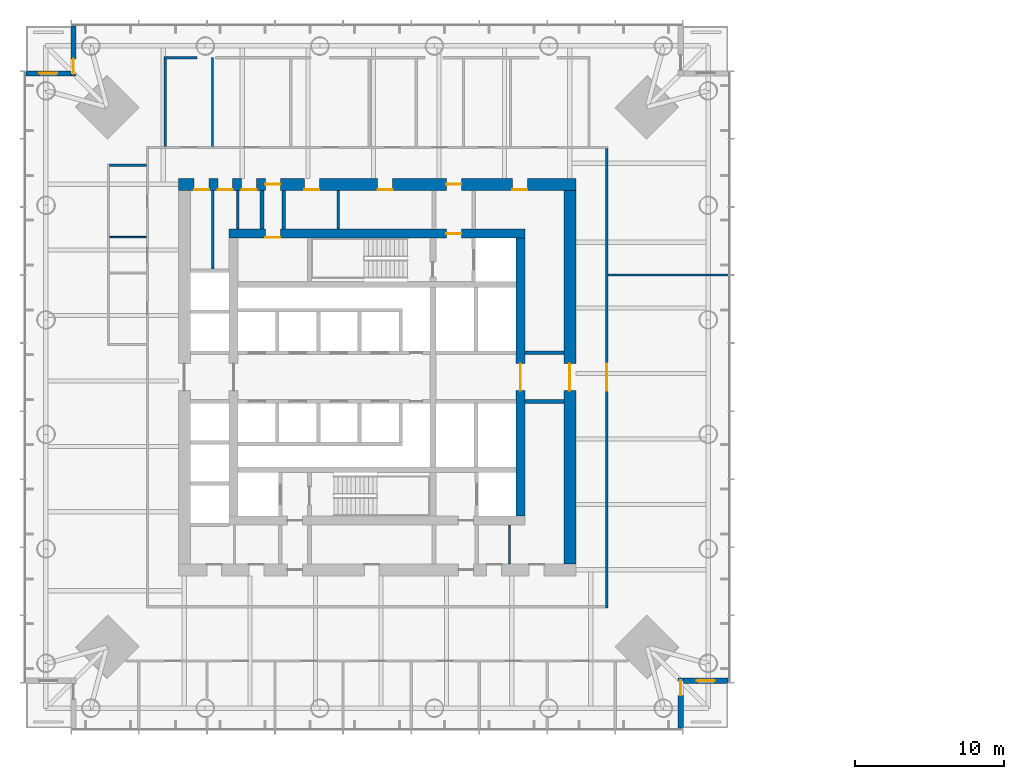
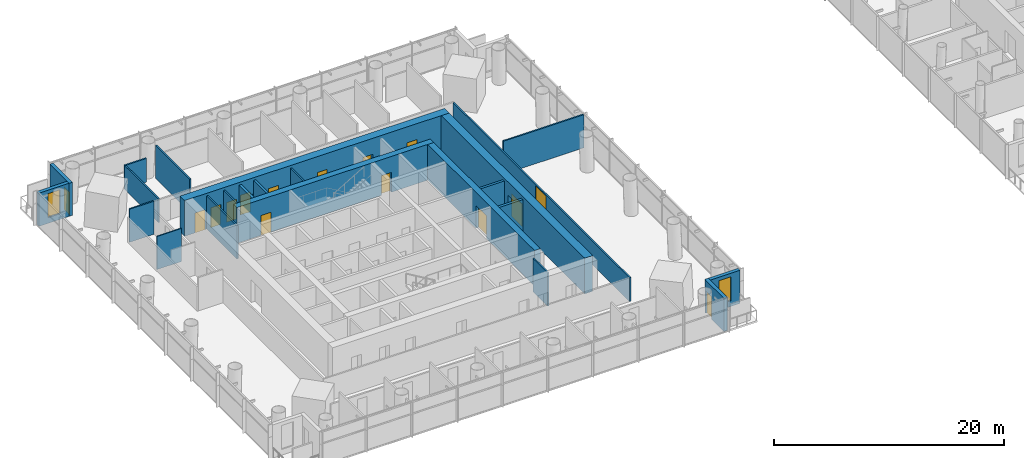
# One storey, part 14 of 24: 23 walls, 15 doors, 2 windows, 17 openings.
"""IFC4 building model written with IfcOpenShell, lengths in metres."""

from ifc_helpers import new_model, si_unit, direction, frame, frame_2d, origin, place, context, subcontext, project, spatial, rectangle, extrude, material, layer, layer_set, type_object, element, fill, save


model = new_model("IFC4")

# Units and contexts
model_context = context("Model", 3, precision=1e-05, world=origin(), true_north=direction((0.0, 1.0)))
body_context = subcontext(model_context, "Body", "Model", "MODEL_VIEW")
ifc_project = project(units=[si_unit("LENGTHUNIT", "METRE"), si_unit("AREAUNIT", "SQUARE_METRE"), si_unit("VOLUMEUNIT", "CUBIC_METRE"), si_unit("PLANEANGLEUNIT", "RADIAN"), si_unit("MASSUNIT", "GRAM", prefix="KILO")], contexts=[model_context])

# Site, building, storey
site_placement = place(None, origin())
site = spatial("IfcSite", under=ifc_project, at=site_placement, CompositionType="ELEMENT")
building_placement = place(site_placement, origin())
building = spatial("IfcBuilding", under=site, at=building_placement, Name="Ostroluk Exchange", CompositionType="ELEMENT")
storey_placement = place(building_placement, frame((0.0, 0.0, 78.0)))
storey = spatial("IfcBuildingStorey", under=building, at=storey_placement, Name="L19", CompositionType="ELEMENT", Elevation=78.0)

# Walls
ifc_material_1 = material(Name="Concrete blockwork", Category="masonry")
ifc_layer_1 = layer(ifc_material_1, 0.10009765625)
ifc_layer_set_1 = layer_set([ifc_layer_1], Name="Blockwork WC wall 100")
wall_type_1 = type_object("IfcWallType", Name="Blockwork WC wall 100", PredefinedType="SOLIDWALL", material=ifc_layer_set_1)
wall_1_placement = place(storey_placement, frame((29.550048828125, 55.375, 0.0), z_axis=(0.0, 0.0, 1.0), x_axis=(-1.0, 0.0, 0.0)))
element("IfcWall", 1, at=wall_1_placement, inside=storey, type_object=wall_type_1, Name="Blockwork WC wall", PredefinedType="SOLIDWALL", context=body_context, shape_type="SweptSolid", body=[
    extrude(rectangle(XDim=2.449951171875, YDim=0.10009765625, at=frame_2d((1.22509765625, 0.0))), origin(), (0.0, 0.0, 1.0), 3.52001953125),
])
ifc_material_2 = material(Name="Concrete blockwork", Category="masonry")
ifc_layer_2 = layer(ifc_material_2, 0.14990234375)
ifc_layer_set_2 = layer_set([ifc_layer_2], Name="Blockwork plant room wall 150")
wall_type_2 = type_object("IfcWallType", Name="Blockwork plant room wall 150", PredefinedType="SOLIDWALL", material=ifc_layer_set_2)
wall_2_placement = place(storey_placement, frame((33.99609375, 53.25, 0.0), z_axis=(0.0, 0.0, 1.0), x_axis=(0.0, 1.0, 0.0)))
element("IfcWall", 2, at=wall_2_placement, inside=storey, type_object=wall_type_2, Name="Core room wall", PredefinedType="SOLIDWALL", context=body_context, shape_type="SweptSolid", body=[
    extrude(rectangle(XDim=5.25, YDim=0.14990234375, at=frame_2d((2.625, 0.0))), origin(), (0.0, 0.0, 1.0), 3.52001953125),
])
for number, where, z_axis, x_axis, name in (
    (3, (35.678955078125, 55.89990234375, 0.0), (0.0, 0.0, 1.0), (0.0, 1.0, 0.0), "Core room wall"),
    (4, (42.40478515625, 55.89990234375, 0.0), (0.0, 0.0, 1.0), (0.0, 1.0, 0.0), "Core room wall"),
    (5, (53.85205078125, 33.5, 0.0), (0.0, 0.0, 1.0), (0.0, 1.0, 0.0), "Core room wall"),
):
    element("IfcWall", number, at=place(storey_placement, frame(where, z_axis=z_axis, x_axis=x_axis)), inside=storey, type_object=wall_type_2, Name=name, PredefinedType="SOLIDWALL", context=body_context, shape_type="SweptSolid", body=[
        extrude(rectangle(XDim=2.60009765625, YDim=0.14990234375, at=frame_2d((1.300048828125, 0.0))), origin(), (0.0, 0.0, 1.0), 3.52001953125),
    ])
ifc_material_3 = material(Name="Concrete blockwork", Category="masonry")
ifc_layer_3 = layer(ifc_material_3, 0.25)
ifc_layer_set_3 = layer_set([ifc_layer_3], Name="Blockwork stair enclosure wall 250")
wall_type_3 = type_object("IfcWallType", Name="Blockwork stair enclosure wall 250", PredefinedType="SOLIDWALL", material=ifc_layer_set_3)
for number, where, z_axis, x_axis, name in (
    (6, (54.89990234375, 44.375, 0.0), (0.0, 0.0, 1.0), (1.0, 0.0, 0.0), "Lift lobby enclosure wall"),
    (7, (54.89990234375, 47.625, 0.0), (0.0, 0.0, 1.0), (1.0, 0.0, 0.0), "Lift lobby enclosure wall"),
    (8, (37.300048828125, 55.89990234375, 0.0), (0.0, 0.0, 1.0), (0.0, 1.0, 0.0), "Core corridor wall"),
    (9, (38.75, 55.89990234375, 0.0), (0.0, 0.0, 1.0), (0.0, 1.0, 0.0), "Core corridor wall"),
):
    element("IfcWall", number, at=place(storey_placement, frame(where, z_axis=z_axis, x_axis=x_axis)), inside=storey, type_object=wall_type_3, Name=name, PredefinedType="SOLIDWALL", context=body_context, shape_type="SweptSolid", body=[
        extrude(rectangle(XDim=2.60009765625, YDim=0.25, at=frame_2d((1.300048828125, 0.0))), origin(), (0.0, 0.0, 1.0), 3.52001953125),
    ])

# Wall, openings, doors
ifc_material_4 = material(Name="Concrete C50/60", Category="concrete")
ifc_layer_4 = layer(ifc_material_4, 0.60009765625)
ifc_layer_set_4 = layer_set([ifc_layer_4], Name="Core wall 600 C50/60")
wall_type_4 = type_object("IfcWallType", Name="Core wall 600 C50/60", PredefinedType="SHEAR", material=ifc_layer_set_4)
wall_3_placement = place(storey_placement, frame((35.10009765625, 55.60009765625, 0.0), z_axis=(0.0, 0.0, 1.0), x_axis=(1.0, 0.0, 0.0)))
wall_3 = element("IfcWall", 10, at=wall_3_placement, inside=storey, type_object=wall_type_4, Name="T1 core wall N", PredefinedType="SHEAR", context=body_context, shape_type="SweptSolid", body=[
    extrude(rectangle(XDim=19.7998046875, YDim=0.60009765625, at=frame_2d((9.89990234375, 0.0))), origin(), (0.0, 0.0, 1.0), 3.800048828125),
])
opening_1_placement = place(wall_3_placement, frame((14.5400390625, 0.0, 0.0)))
opening_1 = element("IfcOpeningElement", 11, at=opening_1_placement, cuts=wall_3, Name="Opening FD60", PredefinedType="OPENING", context=body_context, shape_type="SweptSolid", body=[
    extrude(rectangle(XDim=1.0, YDim=2.10009765625, at=frame_2d((0.5, 1.050048828125))), frame((0.0, 0.31005859375, 0.0), z_axis=(0.0, -1.0, 0.0), x_axis=(1.0, 0.0, 0.0)), (0.0, 0.0, 1.0), 0.6201171875),
])
opening_2_placement = place(wall_3_placement, frame((2.425048828125, 0.0, 0.0)))
opening_2 = element("IfcOpeningElement", 12, at=opening_2_placement, cuts=wall_3, Name="Opening FD60", PredefinedType="OPENING", context=body_context, shape_type="SweptSolid", body=[
    extrude(rectangle(XDim=1.0, YDim=2.10009765625, at=frame_2d((0.5, 1.050048828125))), frame((0.0, 0.31005859375, 0.0), z_axis=(0.0, -1.0, 0.0), x_axis=(1.0, 0.0, 0.0)), (0.0, 0.0, 1.0), 0.6201171875),
])
ifc_material_5 = material(Name="Steel", Category="steel")
door_type_1 = type_object("IfcDoorType", Name="Fire door EI 60 1000 x 2100", OperationType="SINGLE_SWING_LEFT", PredefinedType="DOOR", material=ifc_material_5)
door_1_placement = place(opening_1_placement, origin())
door_1 = element("IfcDoor", 13, at=door_1_placement, inside=storey, type_object=door_type_1, Name="Firefighting lobby door", OperationType="SINGLE_SWING_RIGHT", OverallHeight=2.10009765625, OverallWidth=1.0, PredefinedType="DOOR", context=body_context, shape_type="SweptSolid", body=[
    extrude(rectangle(XDim=1.0, YDim=2.10009765625, at=frame_2d((0.5, 1.050048828125))), frame((0.0, 0.02490234375, 0.0), z_axis=(0.0, -1.0, 0.0), x_axis=(1.0, 0.0, 0.0)), (0.0, 0.0, 1.0), 0.050048828125),
])
fill(opening_1, door_1)
door_2_placement = place(opening_2_placement, origin())
door_2 = element("IfcDoor", 14, at=door_2_placement, inside=storey, type_object=door_type_1, Name="Tea point door", OperationType="SINGLE_SWING_LEFT", OverallHeight=2.10009765625, OverallWidth=1.0, PredefinedType="DOOR", context=body_context, shape_type="SweptSolid", body=[
    extrude(rectangle(XDim=1.0, YDim=2.10009765625, at=frame_2d((0.5, 1.050048828125))), frame((0.0, -0.23974609375, 0.0), z_axis=(0.0, -1.0, 0.0), x_axis=(1.0, 0.0, 0.0)), (0.0, 0.0, 1.0), 0.050048828125),
])
fill(opening_2, door_2)

# Wall, opening, door
wall_4_placement = place(storey_placement, frame((54.60009765625, 36.699951171875, 0.0), z_axis=(0.0, 0.0, 1.0), x_axis=(0.0, 1.0, 0.0)))
wall_4 = element("IfcWall", 15, at=wall_4_placement, inside=storey, type_object=wall_type_4, Name="T1 core wall E", PredefinedType="SHEAR", context=body_context, shape_type="SweptSolid", body=[
    extrude(rectangle(XDim=18.60009765625, YDim=0.60009765625, at=frame_2d((9.300048828125, 0.0))), origin(), (0.0, 0.0, 1.0), 3.800048828125),
])
opening_3_placement = place(wall_4_placement, frame((8.39990234375, 0.0, 0.0)))
opening_3 = element("IfcOpeningElement", 16, at=opening_3_placement, cuts=wall_4, Name="Opening FD30D", PredefinedType="OPENING", context=body_context, shape_type="SweptSolid", body=[
    extrude(rectangle(XDim=1.800048828125, YDim=2.39990234375, at=frame_2d((0.89990234375, 1.199951171875))), frame((0.0, 0.31005859375, 0.0), z_axis=(0.0, -1.0, 0.0), x_axis=(1.0, 0.0, 0.0)), (0.0, 0.0, 1.0), 0.6201171875),
])
ifc_material_6 = material(Name="Timber", Category="wood")
door_type_2 = type_object("IfcDoorType", Name="Lobby double door EI 30 1800 x 2400", OperationType="DOUBLE_DOOR_SINGLE_SWING", PredefinedType="DOOR", material=ifc_material_6)
door_3_placement = place(opening_3_placement, origin())
door_3 = element("IfcDoor", 17, at=door_3_placement, inside=storey, type_object=door_type_2, Name="Lift lobby doors", OperationType="DOUBLE_DOOR_SINGLE_SWING", OverallHeight=2.39990234375, OverallWidth=1.800048828125, PredefinedType="DOOR", context=body_context, shape_type="SweptSolid", body=[
    extrude(rectangle(XDim=1.800048828125, YDim=2.39990234375, at=frame_2d((0.89990234375, 1.199951171875))), frame((0.0, 0.02490234375, 0.0), z_axis=(0.0, -1.0, 0.0), x_axis=(1.0, 0.0, 0.0)), (0.0, 0.0, 1.0), 0.050048828125),
])
fill(opening_3, door_3)

# Wall, openings, doors
ifc_material_7 = material(Name="Concrete C50/60", Category="concrete")
ifc_layer_5 = layer(ifc_material_7, 0.800048828125)
ifc_layer_set_5 = layer_set([ifc_layer_5], Name="Core wall 800 C50/60")
wall_type_5 = type_object("IfcWallType", Name="Core wall 800 C50/60", PredefinedType="SHEAR", material=ifc_layer_set_5)
wall_5_placement = place(storey_placement, frame((31.699951171875, 58.89990234375, 0.0), z_axis=(0.0, 0.0, 1.0), x_axis=(1.0, 0.0, 0.0)))
wall_5 = element("IfcWall", 18, at=wall_5_placement, inside=storey, type_object=wall_type_5, Name="T1 core wall RN", PredefinedType="SHEAR", context=body_context, shape_type="SweptSolid", body=[
    extrude(rectangle(XDim=26.60009765625, YDim=0.800048828125, at=frame_2d((13.300048828125, 0.0))), origin(), (0.0, 0.0, 1.0), 3.800048828125),
])
opening_4_placement = place(wall_5_placement, frame((17.93994140625, 0.0, 0.0)))
opening_4 = element("IfcOpeningElement", 19, at=opening_4_placement, cuts=wall_5, Name="Opening FD60", PredefinedType="OPENING", context=body_context, shape_type="SweptSolid", body=[
    extrude(rectangle(XDim=1.0, YDim=2.10009765625, at=frame_2d((0.5, 1.050048828125))), frame((0.0, 0.409912109375, 0.0), z_axis=(0.0, -1.0, 0.0), x_axis=(1.0, 0.0, 0.0)), (0.0, 0.0, 1.0), 0.820068359375),
])
opening_5_placement = place(wall_5_placement, frame((5.824951171875, 0.0, 0.0)))
opening_5 = element("IfcOpeningElement", 20, at=opening_5_placement, cuts=wall_5, Name="Opening FD60", PredefinedType="OPENING", context=body_context, shape_type="SweptSolid", body=[
    extrude(rectangle(XDim=1.0, YDim=2.10009765625, at=frame_2d((0.5, 1.050048828125))), frame((0.0, 0.409912109375, 0.0), z_axis=(0.0, -1.0, 0.0), x_axis=(1.0, 0.0, 0.0)), (0.0, 0.0, 1.0), 0.820068359375),
])
opening_6_placement = place(wall_5_placement, frame((1.050048828125, 0.0, 0.0)))
opening_6 = element("IfcOpeningElement", 21, at=opening_6_placement, cuts=wall_5, Name="Opening FD60", PredefinedType="OPENING", context=body_context, shape_type="SweptSolid", body=[
    extrude(rectangle(XDim=1.0, YDim=2.10009765625, at=frame_2d((0.5, 1.050048828125))), frame((0.0, 0.409912109375, 0.0), z_axis=(0.0, -1.0, 0.0), x_axis=(1.0, 0.0, 0.0)), (0.0, 0.0, 1.0), 0.820068359375),
])
opening_7_placement = place(wall_5_placement, frame((2.637451171875, 0.0, 0.0)))
opening_7 = element("IfcOpeningElement", 22, at=opening_7_placement, cuts=wall_5, Name="Opening FD60", PredefinedType="OPENING", context=body_context, shape_type="SweptSolid", body=[
    extrude(rectangle(XDim=1.0, YDim=2.10009765625, at=frame_2d((0.5, 1.050048828125))), frame((0.0, 0.409912109375, 0.0), z_axis=(0.0, -1.0, 0.0), x_axis=(1.0, 0.0, 0.0)), (0.0, 0.0, 1.0), 0.820068359375),
])
opening_8_placement = place(wall_5_placement, frame((4.22900390625, 0.0, 0.0)))
opening_8 = element("IfcOpeningElement", 23, at=opening_8_placement, cuts=wall_5, Name="Opening FD60", PredefinedType="OPENING", context=body_context, shape_type="SweptSolid", body=[
    extrude(rectangle(XDim=1.0, YDim=2.10009765625, at=frame_2d((0.5, 1.050048828125))), frame((0.0, 0.409912109375, 0.0), z_axis=(0.0, -1.0, 0.0), x_axis=(1.0, 0.0, 0.0)), (0.0, 0.0, 1.0), 0.820068359375),
])
opening_9_placement = place(wall_5_placement, frame((8.43994140625, 0.0, 0.0)))
opening_9 = element("IfcOpeningElement", 24, at=opening_9_placement, cuts=wall_5, Name="Opening FD60", PredefinedType="OPENING", context=body_context, shape_type="SweptSolid", body=[
    extrude(rectangle(XDim=1.0, YDim=2.10009765625, at=frame_2d((0.5, 1.050048828125))), frame((0.0, 0.409912109375, 0.0), z_axis=(0.0, -1.0, 0.0), x_axis=(1.0, 0.0, 0.0)), (0.0, 0.0, 1.0), 0.820068359375),
])
opening_10_placement = place(wall_5_placement, frame((13.34228515625, 0.0, 0.0)))
opening_10 = element("IfcOpeningElement", 25, at=opening_10_placement, cuts=wall_5, Name="Opening FD60", PredefinedType="OPENING", context=body_context, shape_type="SweptSolid", body=[
    extrude(rectangle(XDim=1.0, YDim=2.10009765625, at=frame_2d((0.5, 1.050048828125))), frame((0.0, 0.409912109375, 0.0), z_axis=(0.0, -1.0, 0.0), x_axis=(1.0, 0.0, 0.0)), (0.0, 0.0, 1.0), 0.820068359375),
])
opening_11_placement = place(wall_5_placement, frame((22.35009765625, 0.0, 0.0)))
opening_11 = element("IfcOpeningElement", 26, at=opening_11_placement, cuts=wall_5, Name="Opening FD60", PredefinedType="OPENING", context=body_context, shape_type="SweptSolid", body=[
    extrude(rectangle(XDim=1.0, YDim=2.10009765625, at=frame_2d((0.5, 1.050048828125))), frame((0.0, 0.409912109375, 0.0), z_axis=(0.0, -1.0, 0.0), x_axis=(1.0, 0.0, 0.0)), (0.0, 0.0, 1.0), 0.820068359375),
])
door_4_placement = place(opening_4_placement, origin())
door_4 = element("IfcDoor", 27, at=door_4_placement, inside=storey, type_object=door_type_1, Name="Firefighting lobby door", OperationType="SINGLE_SWING_RIGHT", OverallHeight=2.10009765625, OverallWidth=1.0, PredefinedType="DOOR", context=body_context, shape_type="SweptSolid", body=[
    extrude(rectangle(XDim=1.0, YDim=2.10009765625, at=frame_2d((0.5, 1.050048828125))), frame((0.0, 0.02490234375, 0.0), z_axis=(0.0, -1.0, 0.0), x_axis=(1.0, 0.0, 0.0)), (0.0, 0.0, 1.0), 0.050048828125),
])
fill(opening_4, door_4)
door_5_placement = place(opening_5_placement, origin())
door_5 = element("IfcDoor", 28, at=door_5_placement, inside=storey, type_object=door_type_1, Name="Core corridor door", OperationType="SINGLE_SWING_LEFT", OverallHeight=2.10009765625, OverallWidth=1.0, PredefinedType="DOOR", context=body_context, shape_type="SweptSolid", body=[
    extrude(rectangle(XDim=1.0, YDim=2.10009765625, at=frame_2d((0.5, 1.050048828125))), frame((0.0, 0.02490234375, 0.0), z_axis=(0.0, -1.0, 0.0), x_axis=(1.0, 0.0, 0.0)), (0.0, 0.0, 1.0), 0.050048828125),
])
fill(opening_5, door_5)
door_6_placement = place(opening_6_placement, origin())
door_6 = element("IfcDoor", 29, at=door_6_placement, inside=storey, type_object=door_type_1, Name="Tenant IT room door", OperationType="SINGLE_SWING_LEFT", OverallHeight=2.10009765625, OverallWidth=1.0, PredefinedType="DOOR", context=body_context, shape_type="SweptSolid", body=[
    extrude(rectangle(XDim=1.0, YDim=2.10009765625, at=frame_2d((0.5, 1.050048828125))), frame((0.0, -0.33984375, 0.0), z_axis=(0.0, -1.0, 0.0), x_axis=(1.0, 0.0, 0.0)), (0.0, 0.0, 1.0), 0.050048828125),
])
fill(opening_6, door_6)
door_7_placement = place(opening_7_placement, origin())
door_7 = element("IfcDoor", 30, at=door_7_placement, inside=storey, type_object=door_type_1, Name="First aid room door", OperationType="SINGLE_SWING_LEFT", OverallHeight=2.10009765625, OverallWidth=1.0, PredefinedType="DOOR", context=body_context, shape_type="SweptSolid", body=[
    extrude(rectangle(XDim=1.0, YDim=2.10009765625, at=frame_2d((0.5, 1.050048828125))), frame((0.0, -0.33984375, 0.0), z_axis=(0.0, -1.0, 0.0), x_axis=(1.0, 0.0, 0.0)), (0.0, 0.0, 1.0), 0.050048828125),
])
fill(opening_7, door_7)
door_8_placement = place(opening_8_placement, origin())
door_8 = element("IfcDoor", 31, at=door_8_placement, inside=storey, type_object=door_type_1, Name="Store door", OperationType="SINGLE_SWING_LEFT", OverallHeight=2.10009765625, OverallWidth=1.0, PredefinedType="DOOR", context=body_context, shape_type="SweptSolid", body=[
    extrude(rectangle(XDim=1.0, YDim=2.10009765625, at=frame_2d((0.5, 1.050048828125))), frame((0.0, -0.33984375, 0.0), z_axis=(0.0, -1.0, 0.0), x_axis=(1.0, 0.0, 0.0)), (0.0, 0.0, 1.0), 0.050048828125),
])
fill(opening_8, door_8)
door_9_placement = place(opening_9_placement, origin())
door_9 = element("IfcDoor", 32, at=door_9_placement, inside=storey, type_object=door_type_1, Name="Print and post room door", OperationType="SINGLE_SWING_LEFT", OverallHeight=2.10009765625, OverallWidth=1.0, PredefinedType="DOOR", context=body_context, shape_type="SweptSolid", body=[
    extrude(rectangle(XDim=1.0, YDim=2.10009765625, at=frame_2d((0.5, 1.050048828125))), frame((0.0, -0.33984375, 0.0), z_axis=(0.0, -1.0, 0.0), x_axis=(1.0, 0.0, 0.0)), (0.0, 0.0, 1.0), 0.050048828125),
])
fill(opening_9, door_9)
door_10_placement = place(opening_10_placement, origin())
door_10 = element("IfcDoor", 33, at=door_10_placement, inside=storey, type_object=door_type_1, Name="Archive door", OperationType="SINGLE_SWING_RIGHT", OverallHeight=2.10009765625, OverallWidth=1.0, PredefinedType="DOOR", context=body_context, shape_type="SweptSolid", body=[
    extrude(rectangle(XDim=1.0, YDim=2.10009765625, at=frame_2d((0.5, 1.050048828125))), frame((0.0, -0.33984375, 0.0), z_axis=(0.0, -1.0, 0.0), x_axis=(1.0, 0.0, 0.0)), (0.0, 0.0, 1.0), 0.050048828125),
])
fill(opening_10, door_10)
door_11_placement = place(opening_11_placement, origin())
door_11 = element("IfcDoor", 34, at=door_11_placement, inside=storey, type_object=door_type_1, Name="First aid room door", OperationType="SINGLE_SWING_RIGHT", OverallHeight=2.10009765625, OverallWidth=1.0, PredefinedType="DOOR", context=body_context, shape_type="SweptSolid", body=[
    extrude(rectangle(XDim=1.0, YDim=2.10009765625, at=frame_2d((0.5, 1.050048828125))), frame((0.0, -0.33984375, 0.0), z_axis=(0.0, -1.0, 0.0), x_axis=(1.0, 0.0, 0.0)), (0.0, 0.0, 1.0), 0.050048828125),
])
fill(opening_11, door_11)

# Wall, opening, door
wall_6_placement = place(storey_placement, frame((57.89990234375, 33.5, 0.0), z_axis=(0.0, 0.0, 1.0), x_axis=(0.0, 1.0, 0.0)))
wall_6 = element("IfcWall", 35, at=wall_6_placement, inside=storey, type_object=wall_type_5, Name="T1 core wall RE", PredefinedType="SHEAR", context=body_context, shape_type="SweptSolid", body=[
    extrude(rectangle(XDim=25.0, YDim=0.800048828125, at=frame_2d((12.5, 0.0))), origin(), (0.0, 0.0, 1.0), 3.800048828125),
])
opening_12_placement = place(wall_6_placement, frame((11.60009765625, 0.0, 0.0)))
opening_12 = element("IfcOpeningElement", 36, at=opening_12_placement, cuts=wall_6, Name="Opening FD30D", PredefinedType="OPENING", context=body_context, shape_type="SweptSolid", body=[
    extrude(rectangle(XDim=1.800048828125, YDim=2.39990234375, at=frame_2d((0.89990234375, 1.199951171875))), frame((0.0, 0.409912109375, 0.0), z_axis=(0.0, -1.0, 0.0), x_axis=(1.0, 0.0, 0.0)), (0.0, 0.0, 1.0), 0.820068359375),
])
door_12_placement = place(opening_12_placement, origin())
door_12 = element("IfcDoor", 37, at=door_12_placement, inside=storey, type_object=door_type_2, Name="Lift lobby doors", OperationType="DOUBLE_DOOR_SINGLE_SWING", OverallHeight=2.39990234375, OverallWidth=1.800048828125, PredefinedType="DOOR", context=body_context, shape_type="SweptSolid", body=[
    extrude(rectangle(XDim=1.800048828125, YDim=2.39990234375, at=frame_2d((0.89990234375, 1.199951171875))), frame((0.0, 0.02490234375, 0.0), z_axis=(0.0, -1.0, 0.0), x_axis=(1.0, 0.0, 0.0)), (0.0, 0.0, 1.0), 0.050048828125),
])
fill(opening_12, door_12)

ifc_material_8 = material(Name="Limestone", Category="masonry")
ifc_layer_6 = layer(ifc_material_8, 0.35009765625)
ifc_layer_set_6 = layer_set([ifc_layer_6], Name="Limestone facade wall 350")
wall_type_6 = type_object("IfcWallType", Name="Limestone facade wall 350", PredefinedType="SOLIDWALL", material=ifc_layer_set_6)
wall_7_placement = place(storey_placement, frame((65.324951171875, 22.5, 0.0), z_axis=(0.0, 0.0, 1.0), x_axis=(0.0, 1.0, 0.0)))
wall_7 = element("IfcWall", 38, at=wall_7_placement, inside=storey, type_object=wall_type_6, Name="Office tower SE corner wall L19 a", PredefinedType="SOLIDWALL", context=body_context, shape_type="SweptSolid", body=[
    extrude(rectangle(XDim=3.35009765625, YDim=0.35009765625, at=frame_2d((1.675048828125, 0.0))), origin(), (0.0, 0.0, 1.0), 3.52001953125),
])
opening_13_placement = place(wall_7_placement, frame((2.199951171875, 0.0, 0.0)))
opening_13 = element("IfcOpeningElement", 39, at=opening_13_placement, cuts=wall_7, Name="Opening D-B1", PredefinedType="OPENING", context=body_context, shape_type="SweptSolid", body=[
    extrude(rectangle(XDim=1.0, YDim=2.39990234375, at=frame_2d((0.5, 1.199951171875))), frame((0.0, 0.18505859375, 0.0), z_axis=(0.0, -1.0, 0.0), x_axis=(1.0, 0.0, 0.0)), (0.0, 0.0, 1.0), 0.3701171875),
])
ifc_material_9 = material(Name="Bronze framed glazed door", Category="aluminium")
door_type_3 = type_object("IfcDoorType", Name="Balcony door 1000 x 2400", OperationType="SINGLE_SWING_LEFT", PredefinedType="DOOR", material=ifc_material_9)
door_13_placement = place(opening_13_placement, origin())
door_13 = element("IfcDoor", 40, at=door_13_placement, inside=storey, type_object=door_type_3, Name="Office tower SE balcony door L19", OperationType="SINGLE_SWING_RIGHT", OverallHeight=2.39990234375, OverallWidth=1.0, PredefinedType="DOOR", context=body_context, shape_type="SweptSolid", body=[
    extrude(rectangle(XDim=1.0, YDim=2.39990234375, at=frame_2d((0.5, 1.199951171875))), frame((0.0, 0.02490234375, 0.0), z_axis=(0.0, -1.0, 0.0), x_axis=(1.0, 0.0, 0.0)), (0.0, 0.0, 1.0), 0.050048828125),
])
fill(opening_13, door_13)

# Wall, opening, window
wall_8_placement = place(storey_placement, frame((65.5, 25.675048828125, 0.0), z_axis=(0.0, 0.0, 1.0), x_axis=(1.0, 0.0, 0.0)))
wall_8 = element("IfcWall", 41, at=wall_8_placement, inside=storey, type_object=wall_type_6, Name="Office tower SE corner wall L19 b", PredefinedType="SOLIDWALL", context=body_context, shape_type="SweptSolid", body=[
    extrude(rectangle(XDim=3.0, YDim=0.35009765625, at=frame_2d((1.5, 0.0))), origin(), (0.0, 0.0, 1.0), 3.52001953125),
])
opening_14_placement = place(wall_8_placement, frame((0.89990234375, 0.0, 0.60009765625)))
opening_14 = element("IfcOpeningElement", 42, at=opening_14_placement, cuts=wall_8, Name="Opening WN-L1", PredefinedType="OPENING", context=body_context, shape_type="SweptSolid", body=[
    extrude(rectangle(XDim=1.199951171875, YDim=2.550048828125, at=frame_2d((0.60009765625, 1.27490234375))), frame((0.0, 0.18505859375, 0.0), z_axis=(0.0, -1.0, 0.0), x_axis=(1.0, 0.0, 0.0)), (0.0, 0.0, 1.0), 0.3701171875),
])
ifc_material_10 = material(Name="Laminated clear glass", Category="glass")
window_type = type_object("IfcWindowType", Name="Lancet window 1200 x 2550", PartitioningType="SINGLE_PANEL", PredefinedType="WINDOW", material=ifc_material_10)
window_1_placement = place(opening_14_placement, origin())
window_1 = element("IfcWindow", 43, at=window_1_placement, inside=storey, type_object=window_type, Name="Office tower SE lancet window L19", OverallHeight=2.550048828125, OverallWidth=1.199951171875, PartitioningType="SINGLE_PANEL", PredefinedType="WINDOW", context=body_context, shape_type="SweptSolid", body=[
    extrude(rectangle(XDim=1.199951171875, YDim=2.550048828125, at=frame_2d((0.60009765625, 1.27490234375))), frame((0.0, 0.030029296875, 0.0), z_axis=(0.0, -1.0, 0.0), x_axis=(1.0, 0.0, 0.0)), (0.0, 0.0, 1.0), 0.06005859375),
])
fill(opening_14, window_1)

# Wall, opening, door
wall_9_placement = place(storey_placement, frame((24.675048828125, 69.5, 0.0), z_axis=(0.0, 0.0, 1.0), x_axis=(0.0, -1.0, 0.0)))
wall_9 = element("IfcWall", 44, at=wall_9_placement, inside=storey, type_object=wall_type_6, Name="Office tower NW corner wall L19 a", PredefinedType="SOLIDWALL", context=body_context, shape_type="SweptSolid", body=[
    extrude(rectangle(XDim=3.35009765625, YDim=0.35009765625, at=frame_2d((1.675048828125, 0.0))), origin(), (0.0, 0.0, 1.0), 3.52001953125),
])
opening_15_placement = place(wall_9_placement, frame((2.199951171875, 0.0, 0.0)))
opening_15 = element("IfcOpeningElement", 45, at=opening_15_placement, cuts=wall_9, Name="Opening D-B1", PredefinedType="OPENING", context=body_context, shape_type="SweptSolid", body=[
    extrude(rectangle(XDim=1.0, YDim=2.39990234375, at=frame_2d((0.5, 1.199951171875))), frame((0.0, 0.18505859375, 0.0), z_axis=(0.0, -1.0, 0.0), x_axis=(1.0, 0.0, 0.0)), (0.0, 0.0, 1.0), 0.3701171875),
])
door_14_placement = place(opening_15_placement, origin())
door_14 = element("IfcDoor", 46, at=door_14_placement, inside=storey, type_object=door_type_3, Name="Office tower NW balcony door L19", OperationType="SINGLE_SWING_RIGHT", OverallHeight=2.39990234375, OverallWidth=1.0, PredefinedType="DOOR", context=body_context, shape_type="SweptSolid", body=[
    extrude(rectangle(XDim=1.0, YDim=2.39990234375, at=frame_2d((0.5, 1.199951171875))), frame((0.0, 0.02490234375, 0.0), z_axis=(0.0, -1.0, 0.0), x_axis=(1.0, 0.0, 0.0)), (0.0, 0.0, 1.0), 0.050048828125),
])
fill(opening_15, door_14)

# Wall, opening, window
wall_10_placement = place(storey_placement, frame((24.5, 66.324951171875, 0.0), z_axis=(0.0, 0.0, 1.0), x_axis=(-1.0, 0.0, 0.0)))
wall_10 = element("IfcWall", 47, at=wall_10_placement, inside=storey, type_object=wall_type_6, Name="Office tower NW corner wall L19 b", PredefinedType="SOLIDWALL", context=body_context, shape_type="SweptSolid", body=[
    extrude(rectangle(XDim=3.0, YDim=0.35009765625, at=frame_2d((1.5, 0.0))), origin(), (0.0, 0.0, 1.0), 3.52001953125),
])
opening_16_placement = place(wall_10_placement, frame((0.89990234375, 0.0, 0.60009765625)))
opening_16 = element("IfcOpeningElement", 48, at=opening_16_placement, cuts=wall_10, Name="Opening WN-L1", PredefinedType="OPENING", context=body_context, shape_type="SweptSolid", body=[
    extrude(rectangle(XDim=1.199951171875, YDim=2.550048828125, at=frame_2d((0.60009765625, 1.27490234375))), frame((0.0, 0.18505859375, 0.0), z_axis=(0.0, -1.0, 0.0), x_axis=(1.0, 0.0, 0.0)), (0.0, 0.0, 1.0), 0.3701171875),
])
window_2_placement = place(opening_16_placement, origin())
window_2 = element("IfcWindow", 49, at=window_2_placement, inside=storey, type_object=window_type, Name="Office tower NW lancet window L19", OverallHeight=2.550048828125, OverallWidth=1.199951171875, PartitioningType="SINGLE_PANEL", PredefinedType="WINDOW", context=body_context, shape_type="SweptSolid", body=[
    extrude(rectangle(XDim=1.199951171875, YDim=2.550048828125, at=frame_2d((0.60009765625, 1.27490234375))), frame((0.0, 0.030029296875, 0.0), z_axis=(0.0, -1.0, 0.0), x_axis=(1.0, 0.0, 0.0)), (0.0, 0.0, 1.0), 0.06005859375),
])
fill(opening_16, window_2)

# Walls
ifc_material_11 = material(Name="Gypsum plasterboard partition", Category="gypsum")
ifc_layer_7 = layer(ifc_material_11, 0.14990234375)
ifc_layer_set_7 = layer_set([ifc_layer_7], Name="Plasterboard partition 150")
wall_type_7 = type_object("IfcWallType", Name="Plasterboard partition 150", PredefinedType="PARTITIONING", material=ifc_layer_set_7)
wall_11_placement = place(storey_placement, frame((33.97509765625, 61.449951171875, 0.0), z_axis=(0.0, 0.0, 1.0), x_axis=(0.0, 1.0, 0.0)))
element("IfcWall", 50, at=wall_11_placement, inside=storey, type_object=wall_type_7, Name="Partition", PredefinedType="PARTITIONING", context=body_context, shape_type="SweptSolid", body=[
    extrude(rectangle(XDim=5.949951171875, YDim=0.14990234375, at=frame_2d((2.97509765625, 0.0))), origin(), (0.0, 0.0, 1.0), 3.52001953125),
])
wall_12_placement = place(storey_placement, frame((30.824951171875, 61.449951171875, 0.0), z_axis=(0.0, 0.0, 1.0), x_axis=(0.0, 1.0, 0.0)))
element("IfcWall", 51, at=wall_12_placement, inside=storey, type_object=wall_type_7, Name="Partition", PredefinedType="PARTITIONING", context=body_context, shape_type="SweptSolid", body=[
    extrude(rectangle(XDim=5.85009765625, YDim=0.14990234375, at=frame_2d((2.925048828125, 0.0))), origin(), (0.0, 0.0, 1.0), 2.511962890625),
])
wall_13_placement = place(storey_placement, frame((32.954833984375, 67.375, 0.0), z_axis=(0.0, 0.0, 1.0), x_axis=(-1.0, 0.0, 0.0)))
element("IfcWall", 52, at=wall_13_placement, inside=storey, type_object=wall_type_7, Name="Partition", PredefinedType="PARTITIONING", context=body_context, shape_type="SweptSolid", body=[
    extrude(rectangle(XDim=2.204833984375, YDim=0.14990234375, at=frame_2d((1.1025390625, 0.0))), origin(), (0.0, 0.0, 1.0), 2.511962890625),
])
wall_14_placement = place(storey_placement, frame((60.449951171875, 52.833251953125, 0.0), z_axis=(0.0, 0.0, 1.0), x_axis=(1.0, 0.0, 0.0)))
element("IfcWall", 53, at=wall_14_placement, inside=storey, type_object=wall_type_7, Name="Tenancy partition", PredefinedType="PARTITIONING", context=body_context, shape_type="SweptSolid", body=[
    extrude(rectangle(XDim=8.090087890625, YDim=0.14990234375, at=frame_2d((4.044921875, 0.0))), origin(), (0.0, 0.0, 1.0), 3.52001953125),
])

# Wall, opening, door
wall_15_placement = place(storey_placement, frame((60.375, 30.550048828125, 0.0), z_axis=(0.0, 0.0, 1.0), x_axis=(0.0, 1.0, 0.0)))
wall_15 = element("IfcWall", 54, at=wall_15_placement, inside=storey, type_object=wall_type_7, Name="Corridor wall", PredefinedType="PARTITIONING", context=body_context, shape_type="SweptSolid", body=[
    extrude(rectangle(XDim=30.75, YDim=0.14990234375, at=frame_2d((15.375, 0.0))), origin(), (0.0, 0.0, 1.0), 2.511962890625),
])
opening_17_placement = place(wall_15_placement, frame((14.550048828125, 0.0, 0.0)))
opening_17 = element("IfcOpeningElement", 55, at=opening_17_placement, cuts=wall_15, Name="Opening D-04", PredefinedType="OPENING", context=body_context, shape_type="SweptSolid", body=[
    extrude(rectangle(XDim=1.800048828125, YDim=2.39990234375, at=frame_2d((0.89990234375, 1.199951171875))), frame((0.0, 0.0849609375, 0.0), z_axis=(0.0, -1.0, 0.0), x_axis=(1.0, 0.0, 0.0)), (0.0, 0.0, 1.0), 0.169921875),
])
ifc_material_12 = material(Name="Timber", Category="wood")
door_type_4 = type_object("IfcDoorType", Name="Double door 1800 x 2400", OperationType="DOUBLE_DOOR_SINGLE_SWING", PredefinedType="DOOR", material=ifc_material_12)
door_15_placement = place(opening_17_placement, origin())
door_15 = element("IfcDoor", 56, at=door_15_placement, inside=storey, type_object=door_type_4, Name="Open plan office door", OperationType="DOUBLE_DOOR_SINGLE_SWING", OverallHeight=2.39990234375, OverallWidth=1.800048828125, PredefinedType="DOOR", context=body_context, shape_type="SweptSolid", body=[
    extrude(rectangle(XDim=1.800048828125, YDim=2.39990234375, at=frame_2d((0.89990234375, 1.199951171875))), frame((0.0, 0.02490234375, 0.0), z_axis=(0.0, -1.0, 0.0), x_axis=(1.0, 0.0, 0.0)), (0.0, 0.0, 1.0), 0.050048828125),
])
fill(opening_17, door_15)

# Wall
ifc_material_13 = material(Name="Gypsum plasterboard partition, moisture resistant", Category="gypsum")
ifc_layer_8 = layer(ifc_material_13, 0.14990234375)
ifc_layer_set_8 = layer_set([ifc_layer_8], Name="Plasterboard toilet partition 150")
wall_type_8 = type_object("IfcWallType", Name="Plasterboard toilet partition 150", PredefinedType="PARTITIONING", material=ifc_layer_set_8)
wall_16_placement = place(storey_placement, frame((29.550048828125, 60.175048828125, 0.0), z_axis=(0.0, 0.0, 1.0), x_axis=(-1.0, 0.0, 0.0)))
element("IfcWall", 57, at=wall_16_placement, inside=storey, type_object=wall_type_8, Name="Toilet partition", PredefinedType="PARTITIONING", context=body_context, shape_type="SweptSolid", body=[
    extrude(rectangle(XDim=2.449951171875, YDim=0.14990234375, at=frame_2d((1.22509765625, 0.0))), origin(), (0.0, 0.0, 1.0), 3.52001953125),
])

save(model, "model.ifc")
